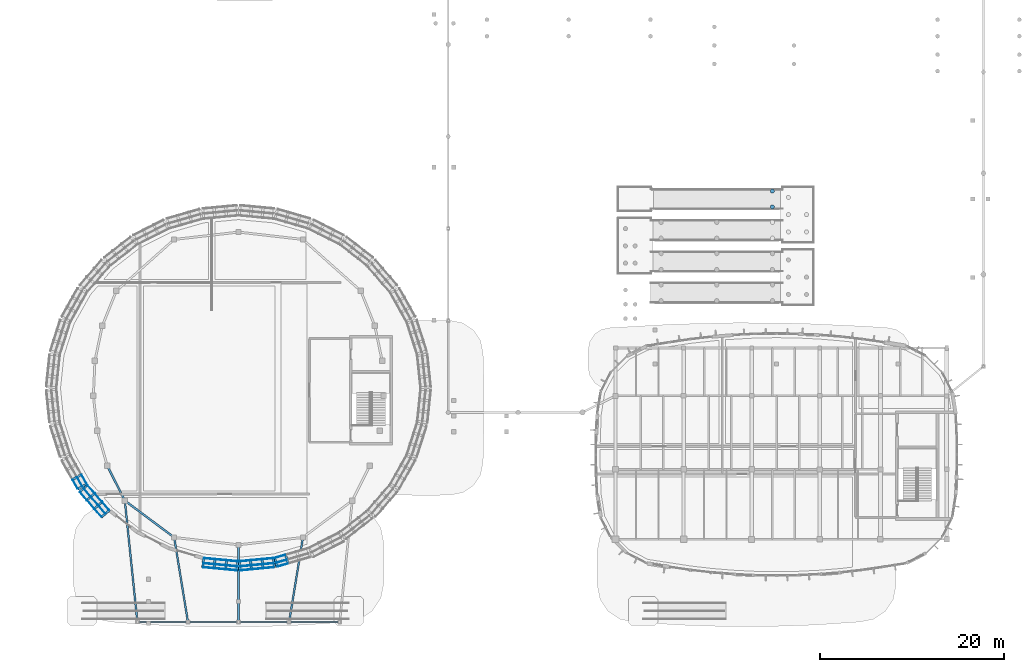
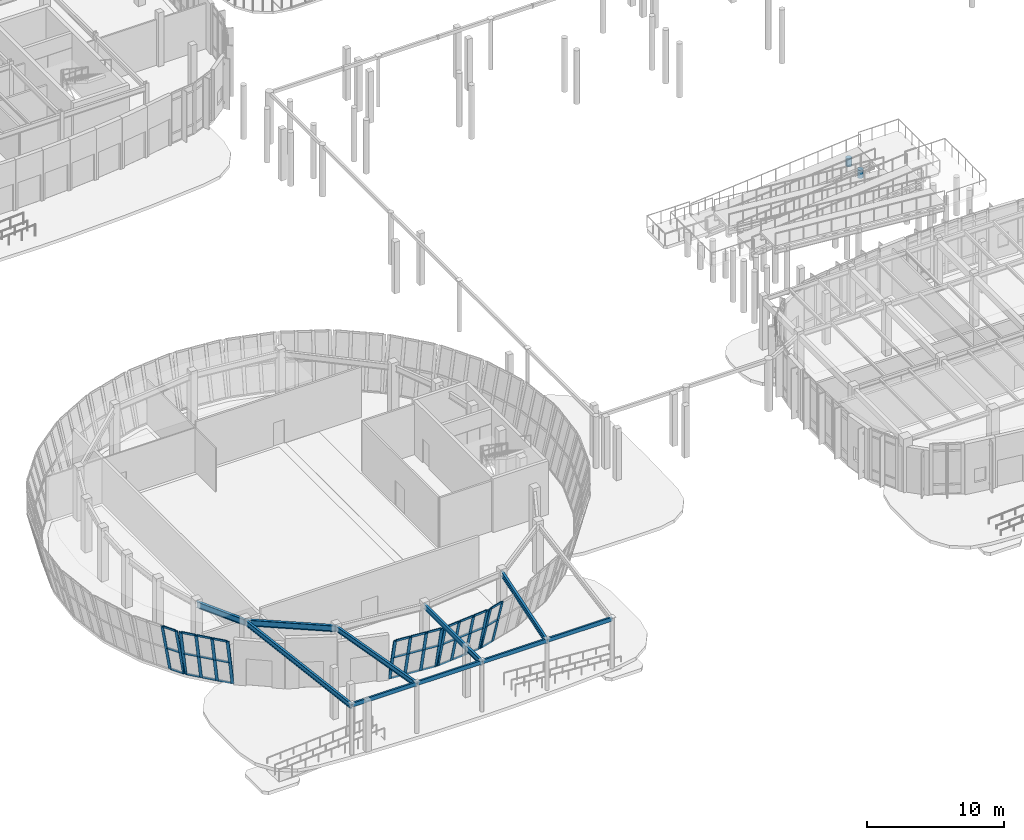
# One storey, part 21 of 120: 49 members, 10 beams, 2 columns, 5 elements without a shape of their own.
"""IFC4 building model written with IfcOpenShell, lengths in metres."""

from ifc_helpers import new_model, si_unit, direction, frame, origin, origin_2d, place, context, subcontext, project, spatial, rectangle, hollow_rectangle, circle, i_section, extrude, material, material_profile, profile_set, type_object, element, aggregate, save


model = new_model("IFC4")

# Units and contexts
model_context = context("Model", 3, precision=1e-05, world=origin(), true_north=direction((0.0, 1.0)))
body_context = subcontext(model_context, "Body", "Model", "MODEL_VIEW")
ifc_project = project(units=[si_unit("LENGTHUNIT", "METRE"), si_unit("AREAUNIT", "SQUARE_METRE"), si_unit("VOLUMEUNIT", "CUBIC_METRE"), si_unit("PLANEANGLEUNIT", "RADIAN"), si_unit("MASSUNIT", "GRAM", prefix="KILO")], contexts=[model_context])

# Site, building, storey
site_placement = place(None, origin())
site = spatial("IfcSite", under=ifc_project, at=site_placement, CompositionType="ELEMENT")
building_placement = place(site_placement, origin())
building = spatial("IfcBuilding", under=site, at=building_placement, Name="Corveleigh Park Community Centre", CompositionType="ELEMENT")
storey_placement = place(building_placement, origin())
storey = spatial("IfcBuildingStorey", under=building, at=storey_placement, Name="L00", CompositionType="ELEMENT", Elevation=0.0)

# Columns
ifc_material_1 = material(Name="Concrete C40/50", Category="concrete")
ifc_material_profile_1 = material_profile(ifc_material_1, circle(Radius=0.22509765625, at=origin_2d()), Name="RC-450D", Category="concrete")
ifc_profile_set_1 = profile_set([ifc_material_profile_1], Name="Concrete C40/50")
column_type = type_object("IfcColumnType", Name="COL-RCE-450D", PredefinedType="COLUMN", material=ifc_profile_set_1)
for number, where, z_axis, x_axis, name in (
    (1, (89.048095703125, 47.35009765625, 0.0), (0.0, 0.0, 1.0), (1.0, 0.0, 0.0), "External deck support pier 76 L00"),
    (2, (89.048095703125, 49.050048828125, 0.0), (0.0, 0.0, 1.0), (1.0, 0.0, 0.0), "External deck support pier 77 L00"),
):
    element("IfcColumn", number, at=place(storey_placement, frame(where, z_axis=z_axis, x_axis=x_axis)), inside=storey, type_object=column_type, Name=name, PredefinedType="COLUMN", context=body_context, shape_type="SweptSolid", body=[
        extrude(circle(Radius=0.22509765625, at=origin_2d()), origin(), (0.0, 0.0, 1.0), 0.72802734375),
    ])

# Beams
ifc_material_2 = material(Name="Steel S355", Category="steel")
ifc_material_profile_2 = material_profile(ifc_material_2, i_section(OverallWidth=0.19140625, OverallDepth=0.4599609375, WebThickness=0.010009765625, FlangeThickness=0.01611328125, at=origin_2d()), Name="UKB 457x191x82", Category="steel")
ifc_profile_set_2 = profile_set([ifc_material_profile_2], Name="Steel S355")
beam_type_1 = type_object("IfcBeamType", Name="BM-STL-UKB457x82", PredefinedType="BEAM", material=ifc_profile_set_2)
beam_1_placement = place(storey_placement, frame((19.99951171875, 2.205078125, 4.281982421875), z_axis=(-0.102937468133, 0.994687829248, 0.0), x_axis=(-0.994687829248, -0.102937468133, 0.0)))
element("IfcBeam", 3, at=beam_1_placement, inside=storey, type_object=beam_type_1, Name="Colonnade Outrigger", PredefinedType="BEAM", context=body_context, shape_type="SweptSolid", body=[
    extrude(i_section(OverallWidth=0.19140625, OverallDepth=0.4599609375, WebThickness=0.010009765625, FlangeThickness=0.01611328125, at=origin_2d()), origin(), (0.0, 0.0, 1.0), 13.260498046875),
])
beam_2_placement = place(storey_placement, frame((25.499267578125, 2.204833984375, 4.281982421875), z_axis=(-0.160932800692, 0.986965365989, 0.0), x_axis=(-0.986965365989, -0.160932800692, 0.0)))
element("IfcBeam", 4, at=beam_2_placement, inside=storey, type_object=beam_type_1, Name="Colonnade Outrigger", PredefinedType="BEAM", context=body_context, shape_type="SweptSolid", body=[
    extrude(i_section(OverallWidth=0.19140625, OverallDepth=0.4599609375, WebThickness=0.010009765625, FlangeThickness=0.01611328125, at=origin_2d()), origin(), (0.0, 0.0, 1.0), 9.3115234375),
])
beam_3_placement = place(storey_placement, frame((31.0, 2.205078125, 4.281982421875), z_axis=(0.0, 1.0, 0.0), x_axis=(-1.0, 0.0, 0.0)))
element("IfcBeam", 5, at=beam_3_placement, inside=storey, type_object=beam_type_1, Name="Colonnade Outrigger", PredefinedType="BEAM", context=body_context, shape_type="SweptSolid", body=[
    extrude(i_section(OverallWidth=0.19140625, OverallDepth=0.4599609375, WebThickness=0.010009765625, FlangeThickness=0.01611328125, at=origin_2d()), origin(), (0.0, 0.0, 1.0), 8.389892578125),
])
beam_4_placement = place(storey_placement, frame((36.500732421875, 2.204833984375, 4.281982421875), z_axis=(0.160932800692, 0.986965365989, 0.0), x_axis=(-0.986965365989, 0.160932800692, 0.0)))
element("IfcBeam", 6, at=beam_4_placement, inside=storey, type_object=beam_type_1, Name="Colonnade Outrigger", PredefinedType="BEAM", context=body_context, shape_type="SweptSolid", body=[
    extrude(i_section(OverallWidth=0.19140625, OverallDepth=0.4599609375, WebThickness=0.010009765625, FlangeThickness=0.01611328125, at=origin_2d()), origin(), (0.0, 0.0, 1.0), 9.3115234375),
])
ifc_material_profile_3 = material_profile(ifc_material_2, i_section(OverallWidth=0.210693359375, OverallDepth=0.53955078125, WebThickness=0.01171875, FlangeThickness=0.018798828125, at=origin_2d()), Name="UKB 533x210x109", Category="steel")
ifc_profile_set_3 = profile_set([ifc_material_profile_3], Name="Steel S355")
beam_type_2 = type_object("IfcBeamType", Name="BM-STL-UKB533x109", PredefinedType="BEAM", material=ifc_profile_set_3)
beam_5_placement = place(storey_placement, frame((16.727294921875, 19.195556640625, 4.2421875), z_axis=(0.448916145361, -0.893573888626, 0.0), x_axis=(0.893573888626, 0.448916145361, 0.0)))
element("IfcBeam", 7, at=beam_5_placement, inside=storey, type_object=beam_type_2, Name="V1 Drum Ring Girder", PredefinedType="BEAM", context=body_context, shape_type="SweptSolid", body=[
    extrude(i_section(OverallWidth=0.210693359375, OverallDepth=0.53955078125, WebThickness=0.01171875, FlangeThickness=0.018798828125, at=origin_2d()), origin(), (0.0, 0.0, 1.0), 4.242431640625),
])
beam_6_placement = place(storey_placement, frame((18.637939453125, 15.39697265625, 4.2421875), z_axis=(0.801771961873, -0.597630087223, 0.0), x_axis=(0.597630087223, 0.801771961873, 0.0)))
element("IfcBeam", 8, at=beam_6_placement, inside=storey, type_object=beam_type_2, Name="V1 Drum Ring Girder", PredefinedType="BEAM", context=body_context, shape_type="SweptSolid", body=[
    extrude(i_section(OverallWidth=0.210693359375, OverallDepth=0.53955078125, WebThickness=0.01171875, FlangeThickness=0.018798828125, at=origin_2d()), origin(), (0.0, 0.0, 1.0), 6.682861328125),
])

# Curtain wall, members
ifc_material_3 = material(Name="Anodised aluminium 6063-T6", Category="aluminium")
curtain_wall_type = type_object("IfcCurtainWallType", Name="CW-SYS-V1-L00", PredefinedType="NOTDEFINED", material=ifc_material_3)
curtain_wall_1_placement = place(storey_placement, origin())
curtain_wall_1 = element("IfcCurtainWall", 9, at=curtain_wall_1_placement, inside=storey, type_object=curtain_wall_type, Name="Main Hall Flared Drum CW 19", PredefinedType="NOTDEFINED")
ifc_material_profile_4 = material_profile(ifc_material_3, rectangle(XDim=0.080078125, YDim=0.25, at=origin_2d()), Name="ALU-M80x250", Category="aluminium")
ifc_profile_set_4 = profile_set([ifc_material_profile_4], Name="Anodised aluminium 6063-T6")
member_type_1 = type_object("IfcMemberType", Name="CWM-80x250", PredefinedType="MULLION", material=ifc_profile_set_4)
member_1_placement = place(storey_placement, frame((13.922607421875, 18.246337890625, 0.0), z_axis=(-0.210798134358, -0.118655985965, 0.970301449832), x_axis=(0.845550363495, 0.475951138605, 0.241898938514)))
member_1 = element("IfcMember", 10, at=member_1_placement, type_object=member_type_1, Name="CW01 mullion 3", PredefinedType="MULLION", context=body_context, shape_type="SweptSolid", body=[
    extrude(rectangle(XDim=0.080078125, YDim=0.25, at=origin_2d()), origin(), (0.0, 0.0, 1.0), 4.650146484375),
])
member_2_placement = place(storey_placement, frame((14.50439453125, 17.212890625, 0.0), z_axis=(-0.210848303174, -0.118654672603, 0.9702907099), x_axis=(0.845591661137, 0.475855865082, 0.241942014296)))
member_2 = element("IfcMember", 11, at=member_2_placement, type_object=member_type_1, Name="CW01 mullion 4", PredefinedType="MULLION", context=body_context, shape_type="SweptSolid", body=[
    extrude(rectangle(XDim=0.080078125, YDim=0.25, at=origin_2d()), origin(), (0.0, 0.0, 1.0), 4.650146484375),
])

curtain_wall_2_placement = place(storey_placement, origin())
curtain_wall_2 = element("IfcCurtainWall", 12, at=curtain_wall_2_placement, inside=storey, type_object=curtain_wall_type, Name="Main Hall Flared Drum CW 20", PredefinedType="NOTDEFINED")
member_3_placement = place(storey_placement, frame((14.580078125, 17.104736328125, 0.0), z_axis=(-0.183023592492, -0.158189926615, 0.970298053027), x_axis=(0.734097613689, 0.634491138854, 0.241912563318)))
member_3 = element("IfcMember", 13, at=member_3_placement, type_object=member_type_1, Name="CW01 mullion 1", PredefinedType="MULLION", context=body_context, shape_type="SweptSolid", body=[
    extrude(rectangle(XDim=0.080078125, YDim=0.25, at=origin_2d()), origin(), (0.0, 0.0, 1.0), 4.650146484375),
])
member_4_placement = place(storey_placement, frame((15.36328125, 16.19873046875, 0.0), z_axis=(-0.183022072182, -0.158241114618, 0.970289993115), x_axis=(0.733987338895, 0.634606379641, 0.241944888893)))
member_4 = element("IfcMember", 14, at=member_4_placement, type_object=member_type_1, Name="CW01 mullion 2", PredefinedType="MULLION", context=body_context, shape_type="SweptSolid", body=[
    extrude(rectangle(XDim=0.080078125, YDim=0.25, at=origin_2d()), origin(), (0.0, 0.0, 1.0), 4.650146484375),
])
member_5_placement = place(storey_placement, frame((16.172607421875, 15.262451171875, 0.0), z_axis=(-0.183022072182, -0.158241114618, 0.970289993115), x_axis=(0.733987338895, 0.634606379641, 0.241944888893)))
member_5 = element("IfcMember", 15, at=member_5_placement, type_object=member_type_1, Name="CW01 mullion 3", PredefinedType="MULLION", context=body_context, shape_type="SweptSolid", body=[
    extrude(rectangle(XDim=0.080078125, YDim=0.25, at=origin_2d()), origin(), (0.0, 0.0, 1.0), 4.650146484375),
])
member_6_placement = place(storey_placement, frame((16.955810546875, 14.356201171875, 0.0), z_axis=(-0.183023592492, -0.158189926615, 0.970298053027), x_axis=(0.734097613689, 0.634491138854, 0.241912563318)))
member_6 = element("IfcMember", 16, at=member_6_placement, type_object=member_type_1, Name="CW01 mullion 4", PredefinedType="MULLION", context=body_context, shape_type="SweptSolid", body=[
    extrude(rectangle(XDim=0.080078125, YDim=0.25, at=origin_2d()), origin(), (0.0, 0.0, 1.0), 4.650146484375),
])

curtain_wall_3_placement = place(storey_placement, origin())
curtain_wall_3 = element("IfcCurtainWall", 17, at=curtain_wall_3_placement, inside=storey, type_object=curtain_wall_type, Name="Main Hall Flared Drum CW 21", PredefinedType="NOTDEFINED")
member_7_placement = place(storey_placement, frame((27.201904296875, 9.1552734375, 0.0), z_axis=(-0.022574841963, -0.240817859589, 0.970307752733), x_axis=(0.090561926526, 0.966072291538, 0.241873655007)))
member_7 = element("IfcMember", 18, at=member_7_placement, type_object=member_type_1, Name="CW01 mullion 1", PredefinedType="MULLION", context=body_context, shape_type="SweptSolid", body=[
    extrude(rectangle(XDim=0.080078125, YDim=0.25, at=origin_2d()), origin(), (0.0, 0.0, 1.0), 4.16357421875),
])
member_8_placement = place(storey_placement, frame((28.43310546875, 9.0400390625, 0.0), z_axis=(-0.022574841963, -0.240817859589, 0.970307752733), x_axis=(0.090561926526, 0.966072291538, 0.241873655007)))
member_8 = element("IfcMember", 19, at=member_8_placement, type_object=member_type_1, Name="CW01 mullion 2", PredefinedType="MULLION", context=body_context, shape_type="SweptSolid", body=[
    extrude(rectangle(XDim=0.080078125, YDim=0.25, at=origin_2d()), origin(), (0.0, 0.0, 1.0), 4.16357421875),
])
member_9_placement = place(storey_placement, frame((29.7041015625, 8.9208984375, 0.0), z_axis=(-0.022575160701, -0.240762622955, 0.970321452668), x_axis=(0.09058506929, 0.966083881829, 0.241818689296)))
member_9 = element("IfcMember", 20, at=member_9_placement, type_object=member_type_1, Name="CW01 mullion 3", PredefinedType="MULLION", context=body_context, shape_type="SweptSolid", body=[
    extrude(rectangle(XDim=0.080078125, YDim=0.25, at=origin_2d()), origin(), (0.0, 0.0, 1.0), 4.16357421875),
])
member_10_placement = place(storey_placement, frame((30.93505859375, 8.8056640625, 0.0), z_axis=(-0.022516553687, -0.240762941247, 0.97032273545), x_axis=(0.090351945515, 0.966107000737, 0.241813541945)))
member_10 = element("IfcMember", 21, at=member_10_placement, type_object=member_type_1, Name="CW01 mullion 4", PredefinedType="MULLION", context=body_context, shape_type="SweptSolid", body=[
    extrude(rectangle(XDim=0.080078125, YDim=0.25, at=origin_2d()), origin(), (0.0, 0.0, 1.0), 4.16357421875),
])

curtain_wall_4_placement = place(storey_placement, origin())
curtain_wall_4 = element("IfcCurtainWall", 22, at=curtain_wall_4_placement, inside=storey, type_object=curtain_wall_type, Name="Main Hall Flared Drum CW 22", PredefinedType="NOTDEFINED")
member_11_placement = place(storey_placement, frame((31.06494140625, 8.8056640625, 0.0), z_axis=(0.022516553687, -0.240762941247, 0.97032273545), x_axis=(-0.090351945515, 0.966107000737, 0.241813541945)))
member_11 = element("IfcMember", 23, at=member_11_placement, type_object=member_type_1, Name="CW01 mullion 1", PredefinedType="MULLION", context=body_context, shape_type="SweptSolid", body=[
    extrude(rectangle(XDim=0.080078125, YDim=0.25, at=origin_2d()), origin(), (0.0, 0.0, 1.0), 4.16357421875),
])
member_12_placement = place(storey_placement, frame((32.2958984375, 8.9208984375, 0.0), z_axis=(0.022575160701, -0.240762622955, 0.970321452668), x_axis=(-0.09058506929, 0.966083881829, 0.241818689296)))
member_12 = element("IfcMember", 24, at=member_12_placement, type_object=member_type_1, Name="CW01 mullion 2", PredefinedType="MULLION", context=body_context, shape_type="SweptSolid", body=[
    extrude(rectangle(XDim=0.080078125, YDim=0.25, at=origin_2d()), origin(), (0.0, 0.0, 1.0), 4.16357421875),
])
member_13_placement = place(storey_placement, frame((33.56689453125, 9.0400390625, 0.0), z_axis=(0.022574841963, -0.240817859589, 0.970307752733), x_axis=(-0.090561926526, 0.966072291538, 0.241873655007)))
member_13 = element("IfcMember", 25, at=member_13_placement, type_object=member_type_1, Name="CW01 mullion 3", PredefinedType="MULLION", context=body_context, shape_type="SweptSolid", body=[
    extrude(rectangle(XDim=0.080078125, YDim=0.25, at=origin_2d()), origin(), (0.0, 0.0, 1.0), 4.16357421875),
])
member_14_placement = place(storey_placement, frame((34.798095703125, 9.1552734375, 0.0), z_axis=(0.022574841963, -0.240817859589, 0.970307752733), x_axis=(-0.090561926526, 0.966072291538, 0.241873655007)))
member_14 = element("IfcMember", 26, at=member_14_placement, type_object=member_type_1, Name="CW01 mullion 4", PredefinedType="MULLION", context=body_context, shape_type="SweptSolid", body=[
    extrude(rectangle(XDim=0.080078125, YDim=0.25, at=origin_2d()), origin(), (0.0, 0.0, 1.0), 4.16357421875),
])

curtain_wall_5_placement = place(storey_placement, origin())
curtain_wall_5 = element("IfcCurtainWall", 27, at=curtain_wall_5_placement, inside=storey, type_object=curtain_wall_type, Name="Main Hall Flared Drum CW 23", PredefinedType="NOTDEFINED")
member_15_placement = place(storey_placement, frame((34.925537109375, 9.178955078125, 0.0), z_axis=(0.066904591437, -0.232377647558, 0.97032180464), x_axis=(-0.268462968055, 0.932444121298, 0.241817276967)))
member_15 = element("IfcMember", 28, at=member_15_placement, type_object=member_type_1, Name="CW01 mullion 1", PredefinedType="MULLION", context=body_context, shape_type="SweptSolid", body=[
    extrude(rectangle(XDim=0.080078125, YDim=0.25, at=origin_2d()), origin(), (0.0, 0.0, 1.0), 4.16357421875),
])
member_16_placement = place(storey_placement, frame((36.10888671875, 9.52001953125, 0.0), z_axis=(0.066962052905, -0.232432204655, 0.97030477362), x_axis=(-0.268612922923, 0.932383210568, 0.241885605793)))
member_16 = element("IfcMember", 29, at=member_16_placement, type_object=member_type_1, Name="CW01 mullion 2", PredefinedType="MULLION", context=body_context, shape_type="SweptSolid", body=[
    extrude(rectangle(XDim=0.080078125, YDim=0.25, at=origin_2d()), origin(), (0.0, 0.0, 1.0), 4.16357421875),
])

# Member
ifc_material_profile_5 = material_profile(ifc_material_3, rectangle(XDim=0.074951171875, YDim=0.175048828125, at=origin_2d()), Name="ALU-T75x175", Category="aluminium")
ifc_profile_set_5 = profile_set([ifc_material_profile_5], Name="Anodised aluminium 6063-T6")
member_type_2 = type_object("IfcMemberType", Name="CWT-75x175", PredefinedType="USERDEFINED", material=ifc_profile_set_5)
member_17_placement = place(storey_placement, frame((13.93408203125, 18.206787109375, 0.03759765625), z_axis=(0.490565186833, -0.871404497043, 0.0), x_axis=(0.871404497043, 0.490565186833, 0.0)))
member_17 = element("IfcMember", 30, at=member_17_placement, type_object=member_type_2, Name="CW01 transom 3.1", ObjectType="TRANSOM", PredefinedType="USERDEFINED", context=body_context, shape_type="SweptSolid", body=[
    extrude(rectangle(XDim=0.074951171875, YDim=0.175048828125, at=origin_2d()), origin(), (0.0, 0.0, 1.0), 1.105712890625),
])

member_18_placement = place(storey_placement, frame((13.453369140625, 17.936279296875, 2.25), z_axis=(0.490565186833, -0.871404497043, 0.0), x_axis=(0.871404497043, 0.490565186833, 0.0)))
member_18 = element("IfcMember", 31, at=member_18_placement, type_object=member_type_2, Name="CW01 transom 3.2", ObjectType="TRANSOM", PredefinedType="USERDEFINED", context=body_context, shape_type="SweptSolid", body=[
    extrude(rectangle(XDim=0.074951171875, YDim=0.175048828125, at=origin_2d()), origin(), (0.0, 0.0, 1.0), 1.105712890625),
])

member_19_placement = place(storey_placement, frame((12.969970703125, 17.664306640625, 4.474609375), z_axis=(0.490470824454, -0.871457612486, 0.0), x_axis=(0.871457612486, 0.490470824454, 0.0)))
member_19 = element("IfcMember", 32, at=member_19_placement, type_object=member_type_2, Name="CW01 transom 3.3", ObjectType="TRANSOM", PredefinedType="USERDEFINED", context=body_context, shape_type="SweptSolid", body=[
    extrude(rectangle(XDim=0.074951171875, YDim=0.175048828125, at=origin_2d()), origin(), (0.0, 0.0, 1.0), 1.10595703125),
])

aggregate(curtain_wall_1, [member_1, member_2, member_17, member_18, member_19])

member_20_placement = place(storey_placement, frame((14.59912109375, 17.068359375, 0.03759765625), z_axis=(0.654023576954, -0.756474163992, 0.0), x_axis=(0.756474163992, 0.654023576954, 0.0)))
member_20 = element("IfcMember", 33, at=member_20_placement, type_object=member_type_2, Name="CW01 transom 1.1", ObjectType="TRANSOM", PredefinedType="USERDEFINED", context=body_context, shape_type="SweptSolid", body=[
    extrude(rectangle(XDim=0.074951171875, YDim=0.175048828125, at=origin_2d()), origin(), (0.0, 0.0, 1.0), 1.11767578125),
])

member_21_placement = place(storey_placement, frame((14.181884765625, 16.70751953125, 2.25), z_axis=(0.654023576954, -0.756474163992, 0.0), x_axis=(0.756474163992, 0.654023576954, 0.0)))
member_21 = element("IfcMember", 34, at=member_21_placement, type_object=member_type_2, Name="CW01 transom 1.2", ObjectType="TRANSOM", PredefinedType="USERDEFINED", context=body_context, shape_type="SweptSolid", body=[
    extrude(rectangle(XDim=0.074951171875, YDim=0.175048828125, at=origin_2d()), origin(), (0.0, 0.0, 1.0), 1.11767578125),
])

member_22_placement = place(storey_placement, frame((13.76220703125, 16.344970703125, 4.474609375), z_axis=(0.653915512177, -0.756567579886, 0.0), x_axis=(0.756567579886, 0.653915512177, 0.0)))
member_22 = element("IfcMember", 35, at=member_22_placement, type_object=member_type_2, Name="CW01 transom 1.3", ObjectType="TRANSOM", PredefinedType="USERDEFINED", context=body_context, shape_type="SweptSolid", body=[
    extrude(rectangle(XDim=0.074951171875, YDim=0.175048828125, at=origin_2d()), origin(), (0.0, 0.0, 1.0), 1.117919921875),
])

member_23_placement = place(storey_placement, frame((15.38232421875, 16.162353515625, 0.03759765625), z_axis=(0.653894326994, -0.756585890118, 0.0), x_axis=(0.756585890118, 0.653894326994, 0.0)))
member_23 = element("IfcMember", 36, at=member_23_placement, type_object=member_type_2, Name="CW01 transom 2.1", ObjectType="TRANSOM", PredefinedType="USERDEFINED", context=body_context, shape_type="SweptSolid", body=[
    extrude(rectangle(XDim=0.074951171875, YDim=0.175048828125, at=origin_2d()), origin(), (0.0, 0.0, 1.0), 1.15771484375),
])

member_24_placement = place(storey_placement, frame((14.965087890625, 15.801513671875, 2.25), z_axis=(0.65399865839, -0.756495707076, 0.0), x_axis=(0.756495707076, 0.65399865839, 0.0)))
member_24 = element("IfcMember", 37, at=member_24_placement, type_object=member_type_2, Name="CW01 transom 2.2", ObjectType="TRANSOM", PredefinedType="USERDEFINED", context=body_context, shape_type="SweptSolid", body=[
    extrude(rectangle(XDim=0.074951171875, YDim=0.175048828125, at=origin_2d()), origin(), (0.0, 0.0, 1.0), 1.15771484375),
])

member_25_placement = place(storey_placement, frame((14.54541015625, 15.438720703125, 4.474609375), z_axis=(0.65399865839, -0.756495707076, 0.0), x_axis=(0.756495707076, 0.65399865839, 0.0)))
member_25 = element("IfcMember", 38, at=member_25_placement, type_object=member_type_2, Name="CW01 transom 2.3", ObjectType="TRANSOM", PredefinedType="USERDEFINED", context=body_context, shape_type="SweptSolid", body=[
    extrude(rectangle(XDim=0.074951171875, YDim=0.175048828125, at=origin_2d()), origin(), (0.0, 0.0, 1.0), 1.15771484375),
])

member_26_placement = place(storey_placement, frame((16.191650390625, 15.22607421875, 0.03759765625), z_axis=(0.653915512177, -0.756567579886, 0.0), x_axis=(0.756567579886, 0.653915512177, 0.0)))
member_26 = element("IfcMember", 39, at=member_26_placement, type_object=member_type_2, Name="CW01 transom 3.1", ObjectType="TRANSOM", PredefinedType="USERDEFINED", context=body_context, shape_type="SweptSolid", body=[
    extrude(rectangle(XDim=0.074951171875, YDim=0.175048828125, at=origin_2d()), origin(), (0.0, 0.0, 1.0), 1.117919921875),
])

member_27_placement = place(storey_placement, frame((15.7744140625, 14.865234375, 2.25), z_axis=(0.654023576954, -0.756474163992, 0.0), x_axis=(0.756474163992, 0.654023576954, 0.0)))
member_27 = element("IfcMember", 40, at=member_27_placement, type_object=member_type_2, Name="CW01 transom 3.2", ObjectType="TRANSOM", PredefinedType="USERDEFINED", context=body_context, shape_type="SweptSolid", body=[
    extrude(rectangle(XDim=0.074951171875, YDim=0.175048828125, at=origin_2d()), origin(), (0.0, 0.0, 1.0), 1.11767578125),
])

member_28_placement = place(storey_placement, frame((15.354736328125, 14.50244140625, 4.474609375), z_axis=(0.654023576954, -0.756474163992, 0.0), x_axis=(0.756474163992, 0.654023576954, 0.0)))
member_28 = element("IfcMember", 41, at=member_28_placement, type_object=member_type_2, Name="CW01 transom 3.3", ObjectType="TRANSOM", PredefinedType="USERDEFINED", context=body_context, shape_type="SweptSolid", body=[
    extrude(rectangle(XDim=0.074951171875, YDim=0.175048828125, at=origin_2d()), origin(), (0.0, 0.0, 1.0), 1.11767578125),
])

aggregate(curtain_wall_2, [member_3, member_4, member_5, member_6, member_20, member_21, member_22, member_23, member_24, member_25, member_26, member_27, member_28])

member_29_placement = place(storey_placement, frame((27.24072265625, 9.142333984375, 0.03759765625), z_axis=(0.99563851597, -0.093294938321, 0.0), x_axis=(0.093294938321, 0.99563851597, 0.0)))
member_29 = element("IfcMember", 42, at=member_29_placement, type_object=member_type_2, Name="CW01 transom 1.1", ObjectType="TRANSOM", PredefinedType="USERDEFINED", context=body_context, shape_type="SweptSolid", body=[
    extrude(rectangle(XDim=0.074951171875, YDim=0.175048828125, at=origin_2d()), origin(), (0.0, 0.0, 1.0), 1.15673828125),
])

member_30_placement = place(storey_placement, frame((27.189453125, 8.59326171875, 2.25), z_axis=(0.99563667821, -0.093314548721, 0.0), x_axis=(0.093314548721, 0.99563667821, 0.0)))
member_30 = element("IfcMember", 43, at=member_30_placement, type_object=member_type_2, Name="CW01 transom 1.2", ObjectType="TRANSOM", PredefinedType="USERDEFINED", context=body_context, shape_type="SweptSolid", body=[
    extrude(rectangle(XDim=0.074951171875, YDim=0.175048828125, at=origin_2d()), origin(), (0.0, 0.0, 1.0), 1.156494140625),
])

member_31_placement = place(storey_placement, frame((27.148681640625, 8.158203125, 4.00244140625), z_axis=(0.995658100666, -0.093085694805, 0.0), x_axis=(0.093085694805, 0.995658100666, 0.0)))
member_31 = element("IfcMember", 44, at=member_31_placement, type_object=member_type_2, Name="CW01 transom 1.3", ObjectType="TRANSOM", PredefinedType="USERDEFINED", context=body_context, shape_type="SweptSolid", body=[
    extrude(rectangle(XDim=0.074951171875, YDim=0.175048828125, at=origin_2d()), origin(), (0.0, 0.0, 1.0), 1.15673828125),
])

member_32_placement = place(storey_placement, frame((28.471923828125, 9.02685546875, 0.03759765625), z_axis=(0.995662621473, -0.093037326925, 0.0), x_axis=(0.093037326925, 0.995662621473, 0.0)))
member_32 = element("IfcMember", 45, at=member_32_placement, type_object=member_type_2, Name="CW01 transom 2.1", ObjectType="TRANSOM", PredefinedType="USERDEFINED", context=body_context, shape_type="SweptSolid", body=[
    extrude(rectangle(XDim=0.074951171875, YDim=0.175048828125, at=origin_2d()), origin(), (0.0, 0.0, 1.0), 1.196533203125),
])

member_33_placement = place(storey_placement, frame((28.420654296875, 8.477783203125, 2.25), z_axis=(0.995660854869, -0.093056230748, 0.0), x_axis=(0.093056230748, 0.995660854869, 0.0)))
member_33 = element("IfcMember", 46, at=member_33_placement, type_object=member_type_2, Name="CW01 transom 2.2", ObjectType="TRANSOM", PredefinedType="USERDEFINED", context=body_context, shape_type="SweptSolid", body=[
    extrude(rectangle(XDim=0.074951171875, YDim=0.175048828125, at=origin_2d()), origin(), (0.0, 0.0, 1.0), 1.1962890625),
])

member_34_placement = place(storey_placement, frame((28.3798828125, 8.04296875, 4.00244140625), z_axis=(0.995643701289, -0.093239584321, 0.0), x_axis=(0.093239584321, 0.995643701289, 0.0)))
member_34 = element("IfcMember", 47, at=member_34_placement, type_object=member_type_2, Name="CW01 transom 2.3", ObjectType="TRANSOM", PredefinedType="USERDEFINED", context=body_context, shape_type="SweptSolid", body=[
    extrude(rectangle(XDim=0.074951171875, YDim=0.175048828125, at=origin_2d()), origin(), (0.0, 0.0, 1.0), 1.196533203125),
])

member_35_placement = place(storey_placement, frame((29.742919921875, 8.907958984375, 0.03759765625), z_axis=(0.99563851597, -0.093294938321, 0.0), x_axis=(0.093294938321, 0.99563851597, 0.0)))
member_35 = element("IfcMember", 48, at=member_35_placement, type_object=member_type_2, Name="CW01 transom 3.1", ObjectType="TRANSOM", PredefinedType="USERDEFINED", context=body_context, shape_type="SweptSolid", body=[
    extrude(rectangle(XDim=0.074951171875, YDim=0.175048828125, at=origin_2d()), origin(), (0.0, 0.0, 1.0), 1.15673828125),
])

member_36_placement = place(storey_placement, frame((29.691650390625, 8.35888671875, 2.25), z_axis=(0.99563667821, -0.093314548721, 0.0), x_axis=(0.093314548721, 0.99563667821, 0.0)))
member_36 = element("IfcMember", 49, at=member_36_placement, type_object=member_type_2, Name="CW01 transom 3.2", ObjectType="TRANSOM", PredefinedType="USERDEFINED", context=body_context, shape_type="SweptSolid", body=[
    extrude(rectangle(XDim=0.074951171875, YDim=0.175048828125, at=origin_2d()), origin(), (0.0, 0.0, 1.0), 1.156494140625),
])

member_37_placement = place(storey_placement, frame((29.65087890625, 7.924072265625, 4.00244140625), z_axis=(0.99563667821, -0.093314548721, 0.0), x_axis=(0.093314548721, 0.99563667821, 0.0)))
member_37 = element("IfcMember", 50, at=member_37_placement, type_object=member_type_2, Name="CW01 transom 3.3", ObjectType="TRANSOM", PredefinedType="USERDEFINED", context=body_context, shape_type="SweptSolid", body=[
    extrude(rectangle(XDim=0.074951171875, YDim=0.175048828125, at=origin_2d()), origin(), (0.0, 0.0, 1.0), 1.156494140625),
])

aggregate(curtain_wall_3, [member_7, member_8, member_9, member_10, member_29, member_30, member_31, member_32, member_33, member_34, member_35, member_36, member_37])

member_38_placement = place(storey_placement, frame((31.10546875, 8.800048828125, 0.03759765625), z_axis=(0.99563851597, 0.093294938321, 0.0), x_axis=(-0.093294938321, 0.99563851597, 0.0)))
member_38 = element("IfcMember", 51, at=member_38_placement, type_object=member_type_2, Name="CW01 transom 1.1", ObjectType="TRANSOM", PredefinedType="USERDEFINED", context=body_context, shape_type="SweptSolid", body=[
    extrude(rectangle(XDim=0.074951171875, YDim=0.175048828125, at=origin_2d()), origin(), (0.0, 0.0, 1.0), 1.15673828125),
])

member_39_placement = place(storey_placement, frame((31.156982421875, 8.2509765625, 2.25), z_axis=(0.99563667821, 0.093314548721, 0.0), x_axis=(-0.093314548721, 0.99563667821, 0.0)))
member_39 = element("IfcMember", 52, at=member_39_placement, type_object=member_type_2, Name="CW01 transom 1.2", ObjectType="TRANSOM", PredefinedType="USERDEFINED", context=body_context, shape_type="SweptSolid", body=[
    extrude(rectangle(XDim=0.074951171875, YDim=0.175048828125, at=origin_2d()), origin(), (0.0, 0.0, 1.0), 1.156494140625),
])

member_40_placement = place(storey_placement, frame((31.19775390625, 7.816162109375, 4.00244140625), z_axis=(0.99563667821, 0.093314548721, 0.0), x_axis=(-0.093314548721, 0.99563667821, 0.0)))
member_40 = element("IfcMember", 53, at=member_40_placement, type_object=member_type_2, Name="CW01 transom 1.3", ObjectType="TRANSOM", PredefinedType="USERDEFINED", context=body_context, shape_type="SweptSolid", body=[
    extrude(rectangle(XDim=0.074951171875, YDim=0.175048828125, at=origin_2d()), origin(), (0.0, 0.0, 1.0), 1.156494140625),
])

member_41_placement = place(storey_placement, frame((32.336669921875, 8.91552734375, 0.03759765625), z_axis=(0.995662621473, 0.093037326925, 0.0), x_axis=(-0.093037326925, 0.995662621473, 0.0)))
member_41 = element("IfcMember", 54, at=member_41_placement, type_object=member_type_2, Name="CW01 transom 2.1", ObjectType="TRANSOM", PredefinedType="USERDEFINED", context=body_context, shape_type="SweptSolid", body=[
    extrude(rectangle(XDim=0.074951171875, YDim=0.175048828125, at=origin_2d()), origin(), (0.0, 0.0, 1.0), 1.196533203125),
])

member_42_placement = place(storey_placement, frame((32.38818359375, 8.366455078125, 2.25), z_axis=(0.995660854869, 0.093056230748, 0.0), x_axis=(-0.093056230748, 0.995660854869, 0.0)))
member_42 = element("IfcMember", 55, at=member_42_placement, type_object=member_type_2, Name="CW01 transom 2.2", ObjectType="TRANSOM", PredefinedType="USERDEFINED", context=body_context, shape_type="SweptSolid", body=[
    extrude(rectangle(XDim=0.074951171875, YDim=0.175048828125, at=origin_2d()), origin(), (0.0, 0.0, 1.0), 1.1962890625),
])

member_43_placement = place(storey_placement, frame((32.4287109375, 7.931396484375, 4.00244140625), z_axis=(0.995643701289, 0.093239584321, 0.0), x_axis=(-0.093239584321, 0.995643701289, 0.0)))
member_43 = element("IfcMember", 56, at=member_43_placement, type_object=member_type_2, Name="CW01 transom 2.3", ObjectType="TRANSOM", PredefinedType="USERDEFINED", context=body_context, shape_type="SweptSolid", body=[
    extrude(rectangle(XDim=0.074951171875, YDim=0.175048828125, at=origin_2d()), origin(), (0.0, 0.0, 1.0), 1.196533203125),
])

member_44_placement = place(storey_placement, frame((33.607666015625, 9.034423828125, 0.03759765625), z_axis=(0.99563851597, 0.093294938321, 0.0), x_axis=(-0.093294938321, 0.99563851597, 0.0)))
member_44 = element("IfcMember", 57, at=member_44_placement, type_object=member_type_2, Name="CW01 transom 3.1", ObjectType="TRANSOM", PredefinedType="USERDEFINED", context=body_context, shape_type="SweptSolid", body=[
    extrude(rectangle(XDim=0.074951171875, YDim=0.175048828125, at=origin_2d()), origin(), (0.0, 0.0, 1.0), 1.15673828125),
])

member_45_placement = place(storey_placement, frame((33.6591796875, 8.4853515625, 2.25), z_axis=(0.99563667821, 0.093314548721, 0.0), x_axis=(-0.093314548721, 0.99563667821, 0.0)))
member_45 = element("IfcMember", 58, at=member_45_placement, type_object=member_type_2, Name="CW01 transom 3.2", ObjectType="TRANSOM", PredefinedType="USERDEFINED", context=body_context, shape_type="SweptSolid", body=[
    extrude(rectangle(XDim=0.074951171875, YDim=0.175048828125, at=origin_2d()), origin(), (0.0, 0.0, 1.0), 1.156494140625),
])

member_46_placement = place(storey_placement, frame((33.69970703125, 8.050537109375, 4.00244140625), z_axis=(0.995658100666, 0.093085694805, 0.0), x_axis=(-0.093085694805, 0.995658100666, 0.0)))
member_46 = element("IfcMember", 59, at=member_46_placement, type_object=member_type_2, Name="CW01 transom 3.3", ObjectType="TRANSOM", PredefinedType="USERDEFINED", context=body_context, shape_type="SweptSolid", body=[
    extrude(rectangle(XDim=0.074951171875, YDim=0.175048828125, at=origin_2d()), origin(), (0.0, 0.0, 1.0), 1.15673828125),
])

aggregate(curtain_wall_4, [member_11, member_12, member_13, member_14, member_38, member_39, member_40, member_41, member_42, member_43, member_44, member_45, member_46])

member_47_placement = place(storey_placement, frame((34.966552734375, 9.18115234375, 0.03759765625), z_axis=(0.96091364535, 0.27684827285, 0.0), x_axis=(-0.27684827285, 0.96091364535, 0.0)))
member_47 = element("IfcMember", 60, at=member_47_placement, type_object=member_type_2, Name="CW01 transom 1.1", ObjectType="TRANSOM", PredefinedType="USERDEFINED", context=body_context, shape_type="SweptSolid", body=[
    extrude(rectangle(XDim=0.074951171875, YDim=0.175048828125, at=origin_2d()), origin(), (0.0, 0.0, 1.0), 1.151611328125),
])

member_48_placement = place(storey_placement, frame((35.119140625, 8.651123046875, 2.25), z_axis=(0.96091364535, 0.27684827285, 0.0), x_axis=(-0.27684827285, 0.96091364535, 0.0)))
member_48 = element("IfcMember", 61, at=member_48_placement, type_object=member_type_2, Name="CW01 transom 1.2", ObjectType="TRANSOM", PredefinedType="USERDEFINED", context=body_context, shape_type="SweptSolid", body=[
    extrude(rectangle(XDim=0.074951171875, YDim=0.175048828125, at=origin_2d()), origin(), (0.0, 0.0, 1.0), 1.151611328125),
])

member_49_placement = place(storey_placement, frame((35.239990234375, 8.2314453125, 4.00244140625), z_axis=(0.96091364535, 0.27684827285, 0.0), x_axis=(-0.27684827285, 0.96091364535, 0.0)))
member_49 = element("IfcMember", 62, at=member_49_placement, type_object=member_type_2, Name="CW01 transom 1.3", ObjectType="TRANSOM", PredefinedType="USERDEFINED", context=body_context, shape_type="SweptSolid", body=[
    extrude(rectangle(XDim=0.074951171875, YDim=0.175048828125, at=origin_2d()), origin(), (0.0, 0.0, 1.0), 1.151611328125),
])

aggregate(curtain_wall_5, [member_15, member_16, member_47, member_48, member_49])

# Beams
ifc_material_profile_6 = material_profile(ifc_material_2, hollow_rectangle(XDim=0.14990234375, YDim=0.35009765625, WallThickness=0.012451171875, at=origin_2d()), Name="RHS 350x150x12.5", Category="steel")
ifc_profile_set_6 = profile_set([ifc_material_profile_6], Name="Steel S355")
beam_type_3 = type_object("IfcBeamType", Name="SP-STL-RHS350x150", PredefinedType="SPANDREL", material=ifc_profile_set_6)
for number, where, z_axis, x_axis, name in (
    (63, (20.0048828125, 2.199951171875, 4.388916015625), (1.0, 0.0, 0.0), (0.0, 1.0, 0.0), "Colonnade Fascia"),
    (64, (25.5048828125, 2.199951171875, 4.388916015625), (1.0, 0.0, 0.0), (0.0, 1.0, 0.0), "Colonnade Fascia"),
    (65, (31.0048828125, 2.199951171875, 4.388916015625), (1.0, 0.0, 0.0), (0.0, 1.0, 0.0), "Colonnade Fascia"),
    (66, (36.5048828125, 2.199951171875, 4.388916015625), (1.0, 0.0, 0.0), (0.0, 1.0, 0.0), "Colonnade Fascia"),
):
    element("IfcBeam", number, at=place(storey_placement, frame(where, z_axis=z_axis, x_axis=x_axis)), inside=storey, type_object=beam_type_3, Name=name, PredefinedType="SPANDREL", context=body_context, shape_type="SweptSolid", body=[
        extrude(hollow_rectangle(XDim=0.14990234375, YDim=0.35009765625, WallThickness=0.012451171875, at=origin_2d()), origin(), (0.0, 0.0, 1.0), 5.490234375),
    ])

save(model, "model.ifc")
